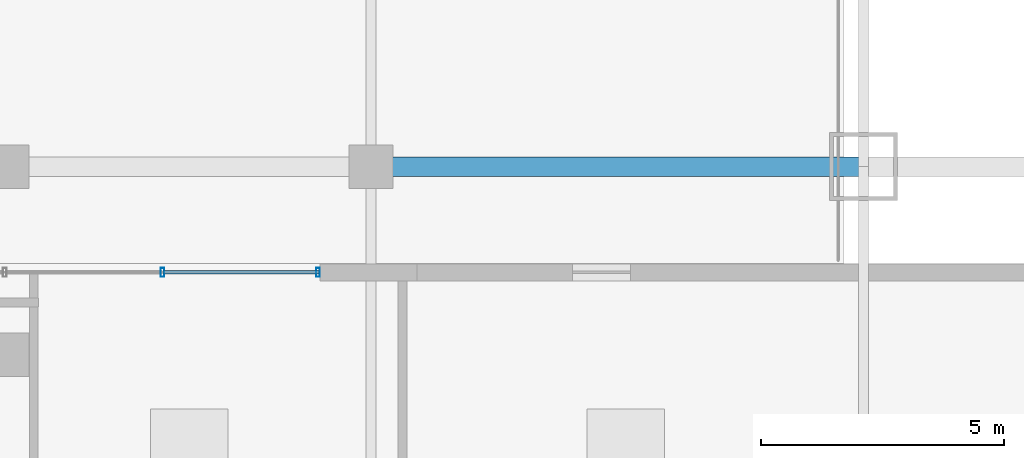
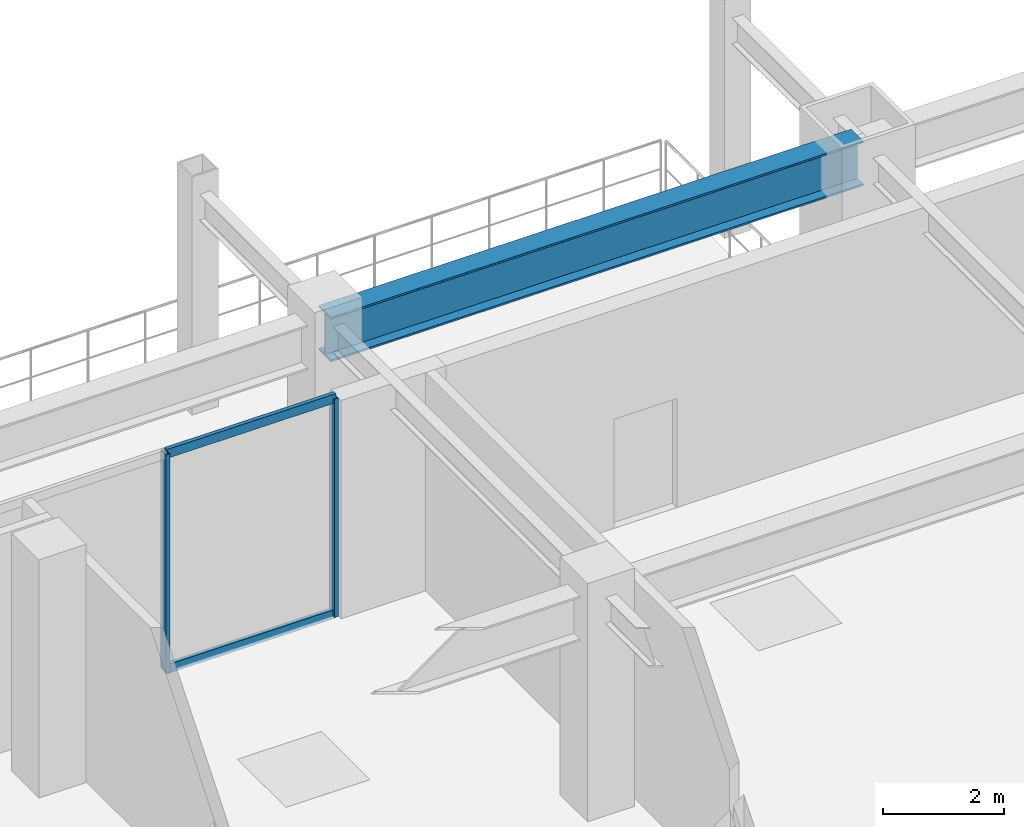
# One storey, part 8 of 15: 4 members, 1 beam, 1 element without a shape of its own.
"""IFC4 building model written with IfcOpenShell, lengths in metres."""

from ifc_helpers import new_model, si_unit, direction, frame, origin, origin_2d, place, context, subcontext, project, spatial, hollow_rectangle, i_section, extrude, material, material_profile, profile_set, type_object, element, aggregate, save


model = new_model("IFC4")

# Units and contexts
model_context = context("Model", 3, precision=1e-05, world=origin(), true_north=direction((0.0, 1.0)))
body_context = subcontext(model_context, "Body", "Model", "MODEL_VIEW")
ifc_project = project(units=[si_unit("LENGTHUNIT", "METRE"), si_unit("AREAUNIT", "SQUARE_METRE"), si_unit("VOLUMEUNIT", "CUBIC_METRE"), si_unit("PLANEANGLEUNIT", "RADIAN"), si_unit("MASSUNIT", "GRAM", prefix="KILO")], contexts=[model_context])

# Site, building, storey
site_placement = place(None, origin())
site = spatial("IfcSite", under=ifc_project, at=site_placement, CompositionType="ELEMENT")
building_placement = place(site_placement, origin())
building = spatial("IfcBuilding", under=site, at=building_placement, Name="Ventersveld Concourse Tower", CompositionType="ELEMENT")
storey_placement = place(building_placement, frame((0.0, 0.0, 19.800048828125)))
storey = spatial("IfcBuildingStorey", under=building, at=storey_placement, Name="L04", CompositionType="ELEMENT", Elevation=19.800048828125)

# Curtain wall, members
ifc_material_1 = material(Name="Anodised aluminium EN AW-6063-T6", Category="aluminium")
curtain_wall_type = type_object("IfcCurtainWallType", Name="CW-POD-2", PredefinedType="NOTDEFINED", material=ifc_material_1)
curtain_wall_placement = place(storey_placement, origin())
curtain_wall = element("IfcCurtainWall", 1, at=curtain_wall_placement, inside=storey, type_object=curtain_wall_type, Name="L04 L04 Amenity Terrace Curtain Wall 2", PredefinedType="NOTDEFINED")
ifc_material_profile_1 = material_profile(ifc_material_1, hollow_rectangle(XDim=0.074951171875, YDim=0.179931640625, WallThickness=0.00390625, at=origin_2d()), Name="ALU 180x75x4")
ifc_profile_set_1 = profile_set([ifc_material_profile_1], Name="Anodised aluminium EN AW-6063-T6")
member_type_1 = type_object("IfcMemberType", Name="CWM-180x75", PredefinedType="MULLION", material=ifc_profile_set_1)
member_1_placement = place(storey_placement, frame((39.449951171875, 41.820068359375, 0.0), z_axis=(0.0, 0.0, 1.0), x_axis=(1.0, 0.0, 0.0)))
member_1 = element("IfcMember", 2, at=member_1_placement, type_object=member_type_1, Name="CW-L04-N2 Mullion 04", PredefinedType="MULLION", context=body_context, shape_type="SweptSolid", body=[
    extrude(hollow_rectangle(XDim=0.074951171875, YDim=0.179931640625, WallThickness=0.00390625, at=origin_2d()), origin(), (0.0, 0.0, 1.0), 4.39990234375),
])
member_2_placement = place(storey_placement, frame((42.659912109375, 41.820068359375, 0.0), z_axis=(0.0, 0.0, 1.0), x_axis=(1.0, 0.0, 0.0)))
member_2 = element("IfcMember", 3, at=member_2_placement, type_object=member_type_1, Name="CW-L04-N2 Mullion 05", PredefinedType="MULLION", context=body_context, shape_type="SweptSolid", body=[
    extrude(hollow_rectangle(XDim=0.074951171875, YDim=0.179931640625, WallThickness=0.00390625, at=origin_2d()), origin(), (0.0, 0.0, 1.0), 4.39990234375),
])
ifc_material_profile_2 = material_profile(ifc_material_1, hollow_rectangle(XDim=0.074951171875, YDim=0.179931640625, WallThickness=0.00390625, at=origin_2d()), Name="ALU 180x75x4")
ifc_profile_set_2 = profile_set([ifc_material_profile_2], Name="Anodised aluminium EN AW-6063-T6")
member_type_2 = type_object("IfcMemberType", Name="CWT-180x75", PredefinedType="USERDEFINED", material=ifc_profile_set_2)
member_3_placement = place(storey_placement, frame((39.4599609375, 41.820068359375, 0.030029296875), z_axis=(1.0, 0.0, 0.0), x_axis=(0.0, 1.0, 0.0)))
member_3 = element("IfcMember", 4, at=member_3_placement, type_object=member_type_2, Name="CW-L04-N2 Transom 1-04", ObjectType="TRANSOM", PredefinedType="USERDEFINED", context=body_context, shape_type="SweptSolid", body=[
    extrude(hollow_rectangle(XDim=0.074951171875, YDim=0.179931640625, WallThickness=0.00390625, at=origin_2d()), origin(), (0.0, 0.0, 1.0), 3.219970703125),
])
member_4_placement = place(storey_placement, frame((39.4599609375, 41.820068359375, 4.369873046875), z_axis=(1.0, 0.0, 0.0), x_axis=(0.0, 1.0, 0.0)))
member_4 = element("IfcMember", 5, at=member_4_placement, type_object=member_type_2, Name="CW-L04-N2 Transom 2-04", ObjectType="TRANSOM", PredefinedType="USERDEFINED", context=body_context, shape_type="SweptSolid", body=[
    extrude(hollow_rectangle(XDim=0.074951171875, YDim=0.179931640625, WallThickness=0.00390625, at=origin_2d()), origin(), (0.0, 0.0, 1.0), 3.219970703125),
])
aggregate(curtain_wall, [member_1, member_2, member_3, member_4])

# Beam
ifc_material_2 = material(Name="Structural steel S355J2", Category="steel")
ifc_material_profile_3 = material_profile(ifc_material_2, i_section(OverallWidth=0.39990234375, OverallDepth=0.89990234375, WebThickness=0.02197265625, FlangeThickness=0.035888671875, at=origin_2d()), Name="PG 900x400x36")
ifc_profile_set_3 = profile_set([ifc_material_profile_3], Name="Structural steel S355J2")
beam_type = type_object("IfcBeamType", Name="GRD-PG900", PredefinedType="USERDEFINED", material=ifc_profile_set_3)
beam_placement = place(storey_placement, frame((43.75, 44.0, 3.949951171875), z_axis=(1.0, 0.0, 0.0), x_axis=(0.0, 1.0, 0.0)))
element("IfcBeam", 6, at=beam_placement, inside=storey, type_object=beam_type, Name="L04 Podium Primary Girder Y=44.0m", ObjectType="GIRDER", PredefinedType="USERDEFINED", context=body_context, shape_type="SweptSolid", body=[
    extrude(i_section(OverallWidth=0.39990234375, OverallDepth=0.89990234375, WebThickness=0.02197265625, FlangeThickness=0.035888671875, at=origin_2d()), origin(), (0.0, 0.0, 1.0), 10.14990234375),
])

save(model, "model.ifc")
